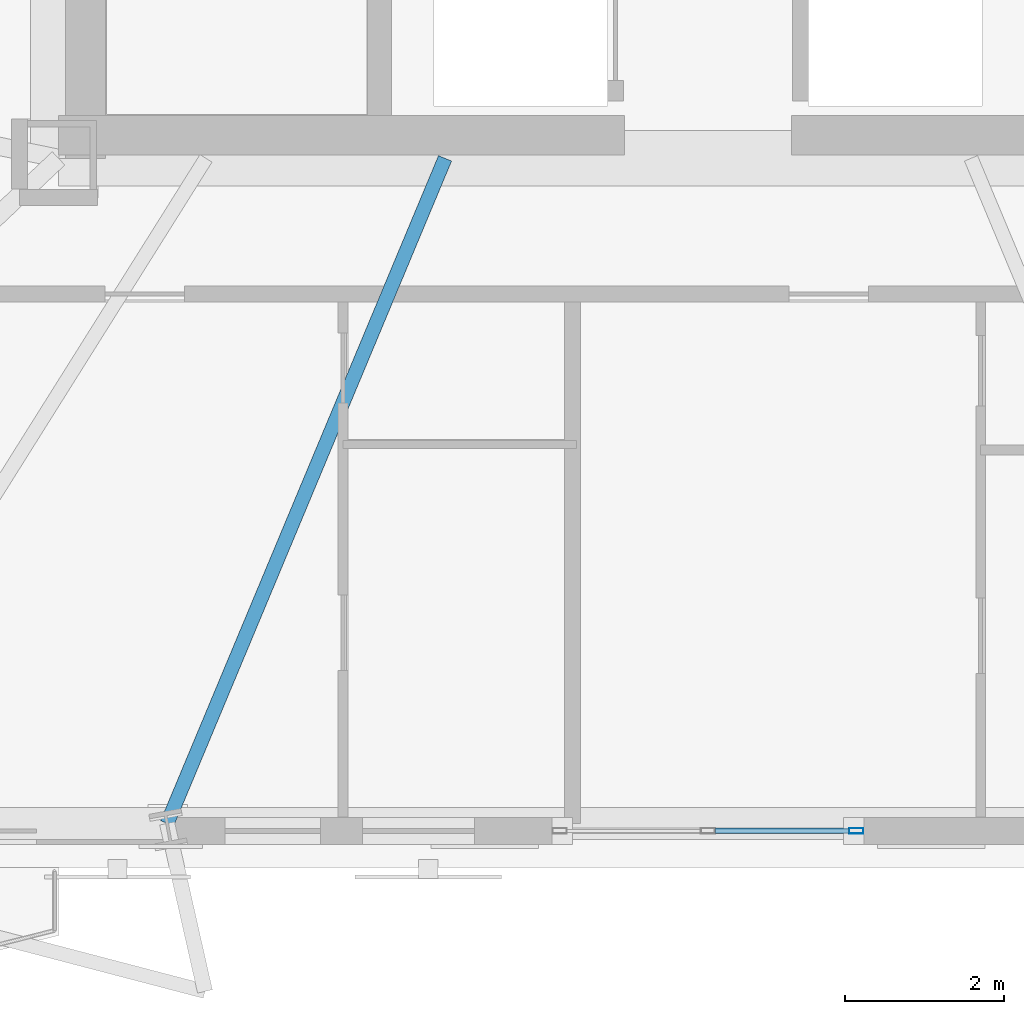
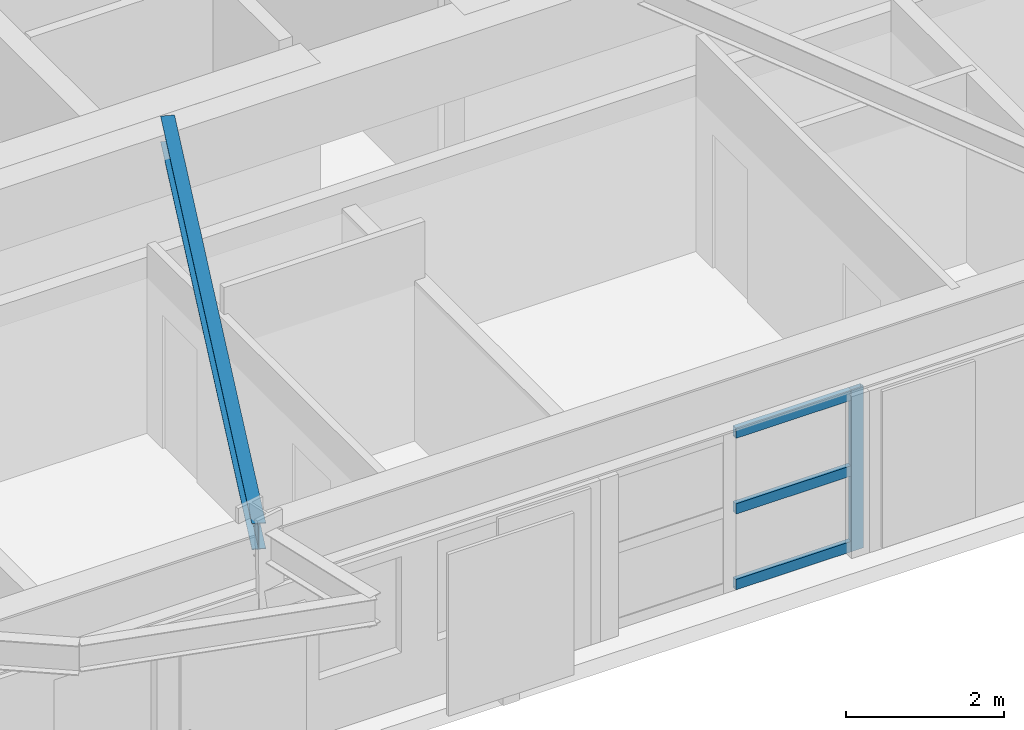
# One storey, part 3 of 17: 4 members, 1 beam, 1 element without a shape of its own.
"""IFC4 building model written with IfcOpenShell, lengths in metres."""

from ifc_helpers import new_model, si_unit, direction, frame, origin, origin_2d, place, context, subcontext, project, spatial, hollow_rectangle, i_section, extrude, material, layer, layer_set, material_profile, profile_set, type_object, element, aggregate, save


model = new_model("IFC4")

# Units and contexts
model_context = context("Model", 3, precision=1e-05, world=origin(), true_north=direction((0.0, 1.0)))
body_context = subcontext(model_context, "Body", "Model", "MODEL_VIEW")
ifc_project = project(units=[si_unit("LENGTHUNIT", "METRE"), si_unit("AREAUNIT", "SQUARE_METRE"), si_unit("VOLUMEUNIT", "CUBIC_METRE"), si_unit("PLANEANGLEUNIT", "RADIAN"), si_unit("MASSUNIT", "GRAM", prefix="KILO")], contexts=[model_context])

# Site, building, storey
site_placement = place(None, origin())
site = spatial("IfcSite", under=ifc_project, at=site_placement, CompositionType="ELEMENT")
building_placement = place(site_placement, origin())
building = spatial("IfcBuilding", under=site, at=building_placement, Name="Oramaril Tower", CompositionType="ELEMENT")
storey_placement = place(building_placement, frame((0.0, 0.0, 70.5)))
storey = spatial("IfcBuildingStorey", under=building, at=storey_placement, Name="L18", CompositionType="ELEMENT", Elevation=70.5)

# Beam
ifc_material_1 = material(Name="Steel ASTM A572 Gr 50", Category="steel")
ifc_material_profile_1 = material_profile(ifc_material_1, i_section(OverallWidth=0.177978515625, OverallDepth=0.404052734375, WebThickness=0.007568359375, FlangeThickness=0.010986328125, at=origin_2d()), Name="W16X36")
ifc_profile_set_1 = profile_set([ifc_material_profile_1], Name="Steel ASTM A572 Gr 50")
beam_type = type_object("IfcBeamType", Name="BT-SB1", PredefinedType="BEAM", material=ifc_profile_set_1)
beam_placement = place(storey_placement, frame((34.199951171875, 11.0, 3.157958984375), z_axis=(-0.385573455163, -0.922677143249, 0.0), x_axis=(0.922677143249, -0.385573455163, 0.0)))
element("IfcBeam", 1, at=beam_placement, inside=storey, type_object=beam_type, Name="L18 Secondary Floor Beam SB-02", PredefinedType="BEAM", context=body_context, shape_type="SweptSolid", body=[
    extrude(i_section(OverallWidth=0.177978515625, OverallDepth=0.404052734375, WebThickness=0.007568359375, FlangeThickness=0.010986328125, at=origin_2d()), origin(), (0.0, 0.0, 1.0), 9.045166015625),
])

# Curtain wall, members
ifc_material_2 = material(Name="Anodised Aluminium 6063-T6", Category="aluminium")
ifc_layer = layer(ifc_material_2, 0.179931640625)
ifc_layer_set = layer_set([ifc_layer], Name="CWT-SYS3")
curtain_wall_type = type_object("IfcCurtainWallType", Name="CWT-SYS3", PredefinedType="NOTDEFINED", material=ifc_layer_set)
curtain_wall_placement = place(storey_placement, origin())
curtain_wall = element("IfcCurtainWall", 2, at=curtain_wall_placement, inside=storey, type_object=curtain_wall_type, Name="L18 Unitised Curtain Wall CW-3", PredefinedType="NOTDEFINED")
ifc_material_3 = material(Name="Anodised Aluminium 6063-T6", Category="aluminium")
ifc_material_profile_2 = material_profile(ifc_material_3, hollow_rectangle(XDim=0.070068359375, YDim=0.179931640625, WallThickness=0.00390625, at=origin_2d()), Name="CWM180X70")
ifc_profile_set_2 = profile_set([ifc_material_profile_2], Name="Anodised Aluminium 6063-T6")
member_type_1 = type_object("IfcMemberType", Name="MT-CWM2", PredefinedType="MULLION", material=ifc_profile_set_2)
member_1_placement = place(storey_placement, frame((39.360107421875, 2.560546875, 0.0), z_axis=(0.0, 0.0, 1.0), x_axis=(0.0, 1.0, 0.0)))
member_1 = element("IfcMember", 3, at=member_1_placement, type_object=member_type_1, Name="CW-3 mullion 3", PredefinedType="MULLION", context=body_context, shape_type="SweptSolid", body=[
    extrude(hollow_rectangle(XDim=0.070068359375, YDim=0.179931640625, WallThickness=0.00390625, at=origin_2d()), origin(), (0.0, 0.0, 1.0), 2.493896484375),
])
ifc_material_4 = material(Name="Anodised Aluminium 6063-T6", Category="aluminium")
ifc_material_profile_3 = material_profile(ifc_material_4, hollow_rectangle(XDim=0.070068359375, YDim=0.159912109375, WallThickness=0.00390625, at=origin_2d()), Name="CWT160X70")
ifc_profile_set_3 = profile_set([ifc_material_profile_3], Name="Anodised Aluminium 6063-T6")
member_type_2 = type_object("IfcMemberType", Name="MT-CWT1", PredefinedType="USERDEFINED", material=ifc_profile_set_3)
member_2_placement = place(storey_placement, frame((37.590087890625, 2.560546875, 0.080078125), z_axis=(1.0, 0.0, 0.0), x_axis=(0.0, 1.0, 0.0)))
member_2 = element("IfcMember", 4, at=member_2_placement, type_object=member_type_2, Name="CW-3 transom 2.1", ObjectType="TRANSOM", PredefinedType="USERDEFINED", context=body_context, shape_type="SweptSolid", body=[
    extrude(hollow_rectangle(XDim=0.070068359375, YDim=0.159912109375, WallThickness=0.00390625, at=origin_2d()), origin(), (0.0, 0.0, 1.0), 1.679931640625),
])
member_3_placement = place(storey_placement, frame((37.590087890625, 2.560546875, 1.2470703125), z_axis=(1.0, 0.0, 0.0), x_axis=(0.0, 1.0, 0.0)))
member_3 = element("IfcMember", 5, at=member_3_placement, type_object=member_type_2, Name="CW-3 transom 2.2", ObjectType="TRANSOM", PredefinedType="USERDEFINED", context=body_context, shape_type="SweptSolid", body=[
    extrude(hollow_rectangle(XDim=0.070068359375, YDim=0.159912109375, WallThickness=0.00390625, at=origin_2d()), origin(), (0.0, 0.0, 1.0), 1.679931640625),
])
member_4_placement = place(storey_placement, frame((37.590087890625, 2.560546875, 2.4140625), z_axis=(1.0, 0.0, 0.0), x_axis=(0.0, 1.0, 0.0)))
member_4 = element("IfcMember", 6, at=member_4_placement, type_object=member_type_2, Name="CW-3 transom 2.3", ObjectType="TRANSOM", PredefinedType="USERDEFINED", context=body_context, shape_type="SweptSolid", body=[
    extrude(hollow_rectangle(XDim=0.070068359375, YDim=0.159912109375, WallThickness=0.00390625, at=origin_2d()), origin(), (0.0, 0.0, 1.0), 1.679931640625),
])
aggregate(curtain_wall, [member_1, member_2, member_3, member_4])

save(model, "model.ifc")
